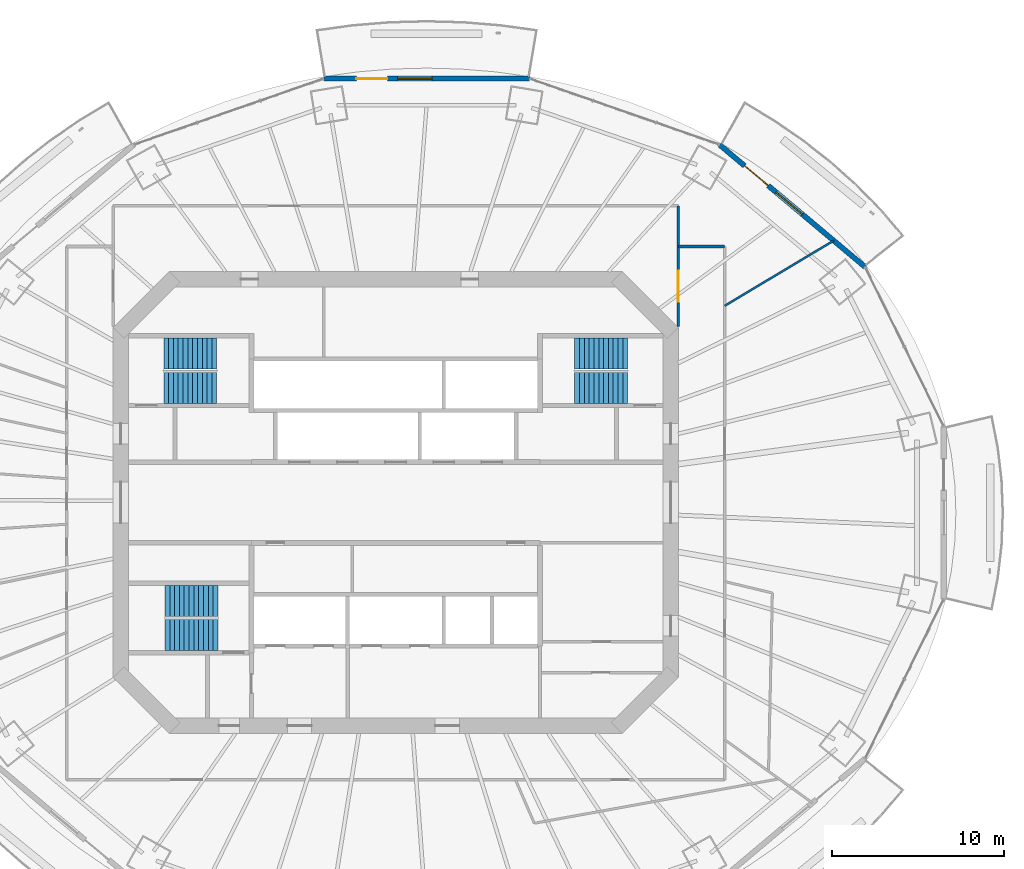
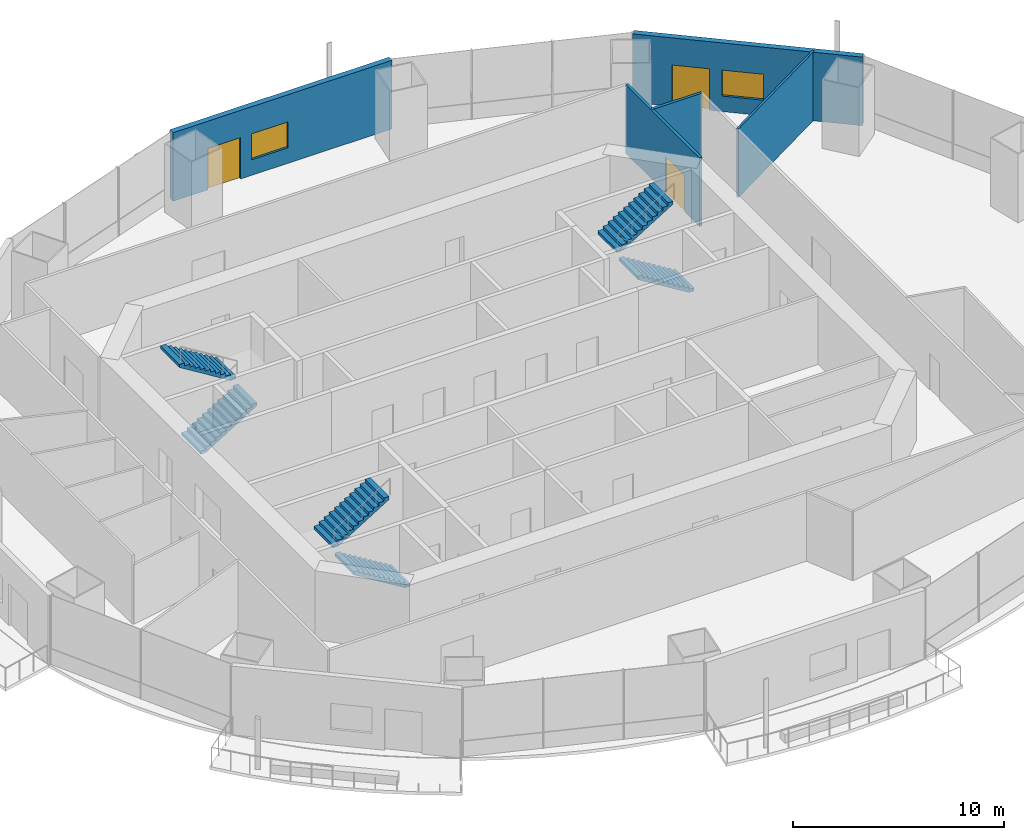
# One storey, part 13 of 19: 6 stair flights, 5 walls, 3 doors, 2 windows, 5 openings, 3 elements without a shape of their own.
"""IFC4 building model written with IfcOpenShell, lengths in metres."""

from ifc_helpers import new_model, si_unit, direction, frame, frame_2d, origin, place, context, subcontext, project, spatial, polyline, rectangle, outline, extrude, material, layer, layer_set, type_object, element, fill, aggregate, save


model = new_model("IFC4")

# Units and contexts
model_context = context("Model", 3, precision=1e-05, world=origin(), true_north=direction((0.0, 1.0)))
body_context = subcontext(model_context, "Body", "Model", "MODEL_VIEW")
ifc_project = project(units=[si_unit("LENGTHUNIT", "METRE"), si_unit("AREAUNIT", "SQUARE_METRE"), si_unit("VOLUMEUNIT", "CUBIC_METRE"), si_unit("PLANEANGLEUNIT", "RADIAN"), si_unit("MASSUNIT", "GRAM", prefix="KILO")], contexts=[model_context])

# Site, building, storey
site_placement = place(None, origin())
site = spatial("IfcSite", under=ifc_project, at=site_placement, CompositionType="ELEMENT")
building_placement = place(site_placement, origin())
building = spatial("IfcBuilding", under=site, at=building_placement, Name="Marenthal Gate Tower", CompositionType="ELEMENT")
storey_placement = place(building_placement, frame((0.0, 0.0, 223.300048828125)))
storey = spatial("IfcBuildingStorey", under=building, at=storey_placement, Name="L49", CompositionType="ELEMENT", Elevation=223.300048828125)

# Wall
ifc_material_1 = material(Name="Gypsum board on steel studs", Category="steel")
ifc_layer_1 = layer(ifc_material_1, 0.1201171875)
ifc_layer_set_1 = layer_set([ifc_layer_1], Name="Partition 120")
wall_type_1 = type_object("IfcWallType", Name="Partition 120", PredefinedType="PARTITIONING", material=ifc_layer_set_1)
wall_1_placement = place(storey_placement, frame((19.14990234375, 11.449462890625, 0.0), z_axis=(0.0, 0.0, 1.0), x_axis=(0.858293202809, 0.513159602864, 0.0)))
element("IfcWall", 1, at=wall_1_placement, inside=storey, type_object=wall_type_1, Name="Partition wall 66", PredefinedType="PARTITIONING", context=body_context, shape_type="SweptSolid", body=[
    extrude(rectangle(XDim=7.392822265625, YDim=0.1201171875, at=frame_2d((3.6962890625, 0.0))), origin(), (0.0, 0.0, 1.0), 3.969970703125),
])

# Wall, opening, door
ifc_material_2 = material(Name="Gypsum board on steel studs", Category="steel")
ifc_layer_2 = layer(ifc_material_2, 0.14990234375)
ifc_layer_set_2 = layer_set([ifc_layer_2], Name="Partition 150")
wall_type_2 = type_object("IfcWallType", Name="Partition 150", PredefinedType="PARTITIONING", material=ifc_layer_set_2)
wall_2_placement = place(storey_placement, frame((16.449951171875, 10.25, 0.0), z_axis=(0.0, 0.0, 1.0), x_axis=(0.0, 1.0, 0.0)))
wall_2 = element("IfcWall", 2, at=wall_2_placement, inside=storey, type_object=wall_type_2, Name="Partition wall 62", PredefinedType="PARTITIONING", context=body_context, shape_type="SweptSolid", body=[
    extrude(rectangle(XDim=7.010986328125, YDim=0.14990234375, at=frame_2d((3.50537109375, 0.0))), origin(), (0.0, 0.0, 1.0), 3.969970703125),
])
opening_1_placement = place(wall_2_placement, frame((1.425048828125, 0.0, 0.0)))
opening_1 = element("IfcOpeningElement", 3, at=opening_1_placement, cuts=wall_2, Name="Opening D014.05", PredefinedType="OPENING", context=body_context, shape_type="SweptSolid", body=[
    extrude(rectangle(XDim=1.800048828125, YDim=2.10009765625, at=frame_2d((0.89990234375, 1.050048828125))), frame((0.0, 0.0849609375, 0.0), z_axis=(0.0, -1.0, 0.0), x_axis=(1.0, 0.0, 0.0)), (0.0, 0.0, 1.0), 0.169921875),
])
ifc_material_3 = material(Name="Timber door", Category="wood")
door_type_1 = type_object("IfcDoorType", Name="Double door 1800 x 2100", OperationType="DOUBLE_DOOR_SINGLE_SWING", PredefinedType="DOOR", material=ifc_material_3)
door_1_placement = place(opening_1_placement, origin())
door_1 = element("IfcDoor", 4, at=door_1_placement, inside=storey, type_object=door_type_1, Name="Door D014.05", OperationType="DOUBLE_DOOR_SINGLE_SWING", OverallHeight=2.10009765625, OverallWidth=1.800048828125, PredefinedType="DOOR", context=body_context, shape_type="SweptSolid", body=[
    extrude(rectangle(XDim=1.800048828125, YDim=2.10009765625, at=frame_2d((0.89990234375, 1.050048828125))), frame((0.0, 0.02490234375, 0.0), z_axis=(0.0, -1.0, 0.0), x_axis=(1.0, 0.0, 0.0)), (0.0, 0.0, 1.0), 0.050048828125),
])
fill(opening_1, door_1)

# Wall
wall_3_placement = place(storey_placement, frame((16.449951171875, 14.89990234375, 0.0), z_axis=(0.0, 0.0, 1.0), x_axis=(1.0, 0.0, 0.0)))
element("IfcWall", 5, at=wall_3_placement, inside=storey, type_object=wall_type_2, Name="Partition wall 63", PredefinedType="PARTITIONING", context=body_context, shape_type="SweptSolid", body=[
    extrude(rectangle(XDim=2.699951171875, YDim=0.14990234375, at=frame_2d((1.35009765625, 0.0))), origin(), (0.0, 0.0, 1.0), 3.969970703125),
])

# Wall, openings, door, window
ifc_material_4 = material(Name="Terracotta cladding on insulated concrete-block backing", Category="masonry")
ifc_layer_3 = layer(ifc_material_4, 0.300048828125)
ifc_layer_set_3 = layer_set([ifc_layer_3], Name="Terracotta facade wall 300")
wall_type_3 = type_object("IfcWallType", Name="Terracotta facade wall 300", PredefinedType="SOLIDWALL", material=ifc_layer_set_3)
wall_4_placement = place(storey_placement, frame((27.316162109375, 13.71435546875, 0.0), z_axis=(0.0, 0.0, 1.0), x_axis=(-0.765870158107, 0.642995257308, 0.0)))
wall_4 = element("IfcWall", 6, at=wall_4_placement, inside=storey, type_object=wall_type_3, Name="Terracotta facade wall L49 bay 2", PredefinedType="SOLIDWALL", context=body_context, shape_type="SweptSolid", body=[
    extrude(rectangle(XDim=11.05517578125, YDim=0.300048828125, at=frame_2d((5.527587890625, 0.0))), origin(), (0.0, 0.0, 1.0), 3.969970703125),
])
opening_2_placement = place(wall_4_placement, frame((7.355224609375, 0.0, 0.0)))
opening_2 = element("IfcOpeningElement", 7, at=opening_2_placement, cuts=wall_4, Name="Opening BD-L49-02", PredefinedType="OPENING", context=body_context, shape_type="SweptSolid", body=[
    extrude(rectangle(XDim=1.800048828125, YDim=2.39990234375, at=frame_2d((0.89990234375, 1.199951171875))), frame((0.0, 0.16015625, 0.0), z_axis=(0.0, -1.0, 0.0), x_axis=(1.0, 0.0, 0.0)), (0.0, 0.0, 1.0), 0.320068359375),
])
opening_3_placement = place(wall_4_placement, frame((4.755126953125, 0.0, 0.89990234375)))
opening_3 = element("IfcOpeningElement", 8, at=opening_3_placement, cuts=wall_4, Name="Opening WN2-L49-02", PredefinedType="OPENING", context=body_context, shape_type="SweptSolid", body=[
    extrude(rectangle(XDim=2.0, YDim=1.5, at=frame_2d((1.0, 0.75))), frame((0.0, 0.16015625, 0.0), z_axis=(0.0, -1.0, 0.0), x_axis=(1.0, 0.0, 0.0)), (0.0, 0.0, 1.0), 0.320068359375),
])
ifc_material_5 = material(Name="Aluminium and glass", Category="aluminium")
door_type_2 = type_object("IfcDoorType", Name="Balcony door 1800x2400", OperationType="DOUBLE_DOOR_SINGLE_SWING", PredefinedType="DOOR", material=ifc_material_5)
door_2_placement = place(opening_2_placement, origin())
door_2 = element("IfcDoor", 9, at=door_2_placement, inside=storey, type_object=door_type_2, Name="Balcony door L49 bay 2", OperationType="SINGLE_SWING_LEFT", OverallHeight=2.39990234375, OverallWidth=1.800048828125, PredefinedType="DOOR", context=body_context, shape_type="SweptSolid", body=[
    extrude(rectangle(XDim=1.800048828125, YDim=2.39990234375, at=frame_2d((0.89990234375, 1.199951171875))), frame((0.0, 0.02490234375, 0.0), z_axis=(0.0, -1.0, 0.0), x_axis=(1.0, 0.0, 0.0)), (0.0, 0.0, 1.0), 0.050048828125),
])
fill(opening_2, door_2)
ifc_material_6 = material(Name="Aluminium and glass", Category="aluminium")
window_type = type_object("IfcWindowType", Name="Window 2000x1500", PartitioningType="DOUBLE_PANEL_VERTICAL", PredefinedType="WINDOW", material=ifc_material_6)
window_1_placement = place(opening_3_placement, origin())
window_1 = element("IfcWindow", 10, at=window_1_placement, inside=storey, type_object=window_type, Name="Window L49 bay 2", OverallHeight=1.5, OverallWidth=2.0, PartitioningType="SINGLE_PANEL", PredefinedType="WINDOW", context=body_context, shape_type="SweptSolid", body=[
    extrude(rectangle(XDim=2.0, YDim=1.5, at=frame_2d((1.0, 0.75))), frame((0.0, 0.030029296875, 0.0), z_axis=(0.0, -1.0, 0.0), x_axis=(1.0, 0.0, 0.0)), (0.0, 0.0, 1.0), 0.06005859375),
])
fill(opening_3, window_1)

wall_5_placement = place(storey_placement, frame((7.786865234375, 24.669921875, 0.0), z_axis=(0.0, 0.0, 1.0), x_axis=(-1.0, 0.0, 0.0)))
wall_5 = element("IfcWall", 11, at=wall_5_placement, inside=storey, type_object=wall_type_3, Name="Terracotta facade wall L49 bay 4", PredefinedType="SOLIDWALL", context=body_context, shape_type="SweptSolid", body=[
    extrude(rectangle(XDim=11.973876953125, YDim=0.300048828125, at=frame_2d((5.98681640625, 0.0))), origin(), (0.0, 0.0, 1.0), 3.969970703125),
])
opening_4_placement = place(wall_5_placement, frame((8.273681640625, 0.0, 0.0)))
opening_4 = element("IfcOpeningElement", 12, at=opening_4_placement, cuts=wall_5, Name="Opening BD-L49-04", PredefinedType="OPENING", context=body_context, shape_type="SweptSolid", body=[
    extrude(rectangle(XDim=1.800048828125, YDim=2.39990234375, at=frame_2d((0.89990234375, 1.199951171875))), frame((0.0, 0.16015625, 0.0), z_axis=(0.0, -1.0, 0.0), x_axis=(1.0, 0.0, 0.0)), (0.0, 0.0, 1.0), 0.320068359375),
])
opening_5_placement = place(wall_5_placement, frame((5.673828125, 0.0, 0.89990234375)))
opening_5 = element("IfcOpeningElement", 13, at=opening_5_placement, cuts=wall_5, Name="Opening WN2-L49-04", PredefinedType="OPENING", context=body_context, shape_type="SweptSolid", body=[
    extrude(rectangle(XDim=2.0, YDim=1.5, at=frame_2d((1.0, 0.75))), frame((0.0, 0.16015625, 0.0), z_axis=(0.0, -1.0, 0.0), x_axis=(1.0, 0.0, 0.0)), (0.0, 0.0, 1.0), 0.320068359375),
])
door_3_placement = place(opening_4_placement, origin())
door_3 = element("IfcDoor", 14, at=door_3_placement, inside=storey, type_object=door_type_2, Name="Balcony door L49 bay 4", OperationType="SINGLE_SWING_LEFT", OverallHeight=2.39990234375, OverallWidth=1.800048828125, PredefinedType="DOOR", context=body_context, shape_type="SweptSolid", body=[
    extrude(rectangle(XDim=1.800048828125, YDim=2.39990234375, at=frame_2d((0.89990234375, 1.199951171875))), frame((0.0, 0.02490234375, 0.0), z_axis=(0.0, -1.0, 0.0), x_axis=(1.0, 0.0, 0.0)), (0.0, 0.0, 1.0), 0.050048828125),
])
fill(opening_4, door_3)
window_2_placement = place(opening_5_placement, origin())
window_2 = element("IfcWindow", 15, at=window_2_placement, inside=storey, type_object=window_type, Name="Window L49 bay 4", OverallHeight=1.5, OverallWidth=2.0, PartitioningType="SINGLE_PANEL", PredefinedType="WINDOW", context=body_context, shape_type="SweptSolid", body=[
    extrude(rectangle(XDim=2.0, YDim=1.5, at=frame_2d((1.0, 0.75))), frame((0.0, 0.030029296875, 0.0), z_axis=(0.0, -1.0, 0.0), x_axis=(1.0, 0.0, 0.0)), (0.0, 0.0, 1.0), 0.06005859375),
])
fill(opening_5, window_2)

# Stair, stair flights
ifc_material_7 = material(Name="Concrete 40 MPa", Category="concrete")
stair_type = type_object("IfcStairType", Name="Exit stair 1800", PredefinedType="HALF_TURN_STAIR", material=ifc_material_7)
stair_1_placement = place(storey_placement, origin())
stair_1 = element("IfcStair", 16, at=stair_1_placement, inside=storey, type_object=stair_type, Name="Stair ST1", PredefinedType="HALF_TURN_STAIR")
ifc_material_8 = material(Name="Concrete 40 MPa", Category="concrete")
stair_flight_type = type_object("IfcStairFlightType", Name="Stair flight 1800", PredefinedType="STRAIGHT", material=ifc_material_8)
stair_flight_1_placement = place(storey_placement, frame((-13.5, 6.675048828125, 0.0), z_axis=(0.0, 0.0, 1.0), x_axis=(1.0, 0.0, 0.0)))
stair_flight_1 = element("IfcStairFlight", 17, at=stair_flight_1_placement, type_object=stair_flight_type, Name="ST1 flight 1", NumberOfRisers=12, NumberOfTreads=11, PredefinedType="STRAIGHT", RiserHeight=0.172916667, TreadLength=0.28, context=body_context, shape_type="SweptSolid", body=[
    extrude(outline(polyline([(0.0, 0.0), (0.0, 0.1728515625), (0.280029296875, 0.1728515625), (0.280029296875, 0.345947265625), (0.56005859375, 0.345947265625), (0.56005859375, 0.518798828125), (0.840087890625, 0.518798828125), (0.840087890625, 0.691650390625), (1.1201171875, 0.691650390625), (1.1201171875, 0.864501953125), (1.39990234375, 0.864501953125), (1.39990234375, 1.03759765625), (1.679931640625, 1.03759765625), (1.679931640625, 1.21044921875), (1.9599609375, 1.21044921875), (1.9599609375, 1.38330078125), (2.239990234375, 1.38330078125), (2.239990234375, 1.55615234375), (2.52001953125, 1.55615234375), (2.52001953125, 1.729248046875), (2.800048828125, 1.729248046875), (2.800048828125, 1.902099609375), (3.080078125, 1.902099609375), (3.080078125, 2.074951171875), (3.080078125, 1.725830078125), (0.285400390625, 0.0), (0.0, 0.0)])), frame((0.0, 0.89990234375, 0.0), z_axis=(0.0, -1.0, 0.0), x_axis=(1.0, 0.0, 0.0)), (0.0, 0.0, 1.0), 1.800048828125),
])
stair_flight_2_placement = place(storey_placement, frame((-10.419921875, 8.675048828125, 2.074951171875), z_axis=(0.0, 0.0, 1.0), x_axis=(-1.0, 0.0, 0.0)))
stair_flight_2 = element("IfcStairFlight", 18, at=stair_flight_2_placement, type_object=stair_flight_type, Name="ST1 flight 2", NumberOfRisers=12, NumberOfTreads=11, PredefinedType="STRAIGHT", RiserHeight=0.172916667, TreadLength=0.28, context=body_context, shape_type="SweptSolid", body=[
    extrude(outline(polyline([(0.0, 0.0), (0.0, 0.1728515625), (0.280029296875, 0.1728515625), (0.280029296875, 0.345947265625), (0.56005859375, 0.345947265625), (0.56005859375, 0.518798828125), (0.840087890625, 0.518798828125), (0.840087890625, 0.691650390625), (1.1201171875, 0.691650390625), (1.1201171875, 0.864501953125), (1.39990234375, 0.864501953125), (1.39990234375, 1.03759765625), (1.679931640625, 1.03759765625), (1.679931640625, 1.21044921875), (1.9599609375, 1.21044921875), (1.9599609375, 1.38330078125), (2.239990234375, 1.38330078125), (2.239990234375, 1.55615234375), (2.52001953125, 1.55615234375), (2.52001953125, 1.729248046875), (2.800048828125, 1.729248046875), (2.800048828125, 1.902099609375), (3.080078125, 1.902099609375), (3.080078125, 2.074951171875), (3.080078125, 1.725830078125), (0.285400390625, 0.0), (0.0, 0.0)])), frame((0.0, 0.89990234375, 0.0), z_axis=(0.0, -1.0, 0.0), x_axis=(1.0, 0.0, 0.0)), (0.0, 0.0, 1.0), 1.800048828125),
])
aggregate(stair_1, [stair_flight_1, stair_flight_2])

stair_2_placement = place(storey_placement, origin())
stair_2 = element("IfcStair", 19, at=stair_2_placement, inside=storey, type_object=stair_type, Name="Stair ST2", PredefinedType="HALF_TURN_STAIR")
stair_flight_3_placement = place(storey_placement, frame((-10.35009765625, -7.72509765625, 0.0), z_axis=(0.0, 0.0, 1.0), x_axis=(-1.0, 0.0, 0.0)))
stair_flight_3 = element("IfcStairFlight", 20, at=stair_flight_3_placement, type_object=stair_flight_type, Name="ST2 flight 1", NumberOfRisers=12, NumberOfTreads=11, PredefinedType="STRAIGHT", RiserHeight=0.172916667, TreadLength=0.28, context=body_context, shape_type="SweptSolid", body=[
    extrude(outline(polyline([(0.0, 0.0), (0.0, 0.1728515625), (0.280029296875, 0.1728515625), (0.280029296875, 0.345947265625), (0.56005859375, 0.345947265625), (0.56005859375, 0.518798828125), (0.840087890625, 0.518798828125), (0.840087890625, 0.691650390625), (1.1201171875, 0.691650390625), (1.1201171875, 0.864501953125), (1.39990234375, 0.864501953125), (1.39990234375, 1.03759765625), (1.679931640625, 1.03759765625), (1.679931640625, 1.21044921875), (1.9599609375, 1.21044921875), (1.9599609375, 1.38330078125), (2.239990234375, 1.38330078125), (2.239990234375, 1.55615234375), (2.52001953125, 1.55615234375), (2.52001953125, 1.729248046875), (2.800048828125, 1.729248046875), (2.800048828125, 1.902099609375), (3.080078125, 1.902099609375), (3.080078125, 2.074951171875), (3.080078125, 1.725830078125), (0.285400390625, 0.0), (0.0, 0.0)])), frame((0.0, 0.89990234375, 0.0), z_axis=(0.0, -1.0, 0.0), x_axis=(1.0, 0.0, 0.0)), (0.0, 0.0, 1.0), 1.800048828125),
])
stair_flight_4_placement = place(storey_placement, frame((-13.429931640625, -5.72509765625, 2.074951171875), z_axis=(0.0, 0.0, 1.0), x_axis=(1.0, 0.0, 0.0)))
stair_flight_4 = element("IfcStairFlight", 21, at=stair_flight_4_placement, type_object=stair_flight_type, Name="ST2 flight 2", NumberOfRisers=12, NumberOfTreads=11, PredefinedType="STRAIGHT", RiserHeight=0.172916667, TreadLength=0.28, context=body_context, shape_type="SweptSolid", body=[
    extrude(outline(polyline([(0.0, 0.0), (0.0, 0.1728515625), (0.280029296875, 0.1728515625), (0.280029296875, 0.345947265625), (0.56005859375, 0.345947265625), (0.56005859375, 0.518798828125), (0.840087890625, 0.518798828125), (0.840087890625, 0.691650390625), (1.1201171875, 0.691650390625), (1.1201171875, 0.864501953125), (1.39990234375, 0.864501953125), (1.39990234375, 1.03759765625), (1.679931640625, 1.03759765625), (1.679931640625, 1.21044921875), (1.9599609375, 1.21044921875), (1.9599609375, 1.38330078125), (2.239990234375, 1.38330078125), (2.239990234375, 1.55615234375), (2.52001953125, 1.55615234375), (2.52001953125, 1.729248046875), (2.800048828125, 1.729248046875), (2.800048828125, 1.902099609375), (3.080078125, 1.902099609375), (3.080078125, 2.074951171875), (3.080078125, 1.725830078125), (0.285400390625, 0.0), (0.0, 0.0)])), frame((0.0, 0.89990234375, 0.0), z_axis=(0.0, -1.0, 0.0), x_axis=(1.0, 0.0, 0.0)), (0.0, 0.0, 1.0), 1.800048828125),
])
aggregate(stair_2, [stair_flight_3, stair_flight_4])

stair_3_placement = place(storey_placement, origin())
stair_3 = element("IfcStair", 22, at=stair_3_placement, inside=storey, type_object=stair_type, Name="Stair ST3", PredefinedType="HALF_TURN_STAIR")
stair_flight_5_placement = place(storey_placement, frame((13.5, 6.675048828125, 0.0), z_axis=(0.0, 0.0, 1.0), x_axis=(-1.0, 0.0, 0.0)))
stair_flight_5 = element("IfcStairFlight", 23, at=stair_flight_5_placement, type_object=stair_flight_type, Name="ST3 flight 1", NumberOfRisers=12, NumberOfTreads=11, PredefinedType="STRAIGHT", RiserHeight=0.172916667, TreadLength=0.28, context=body_context, shape_type="SweptSolid", body=[
    extrude(outline(polyline([(0.0, 0.0), (0.0, 0.1728515625), (0.280029296875, 0.1728515625), (0.280029296875, 0.345947265625), (0.56005859375, 0.345947265625), (0.56005859375, 0.518798828125), (0.840087890625, 0.518798828125), (0.840087890625, 0.691650390625), (1.1201171875, 0.691650390625), (1.1201171875, 0.864501953125), (1.39990234375, 0.864501953125), (1.39990234375, 1.03759765625), (1.679931640625, 1.03759765625), (1.679931640625, 1.21044921875), (1.9599609375, 1.21044921875), (1.9599609375, 1.38330078125), (2.239990234375, 1.38330078125), (2.239990234375, 1.55615234375), (2.52001953125, 1.55615234375), (2.52001953125, 1.729248046875), (2.800048828125, 1.729248046875), (2.800048828125, 1.902099609375), (3.080078125, 1.902099609375), (3.080078125, 2.074951171875), (3.080078125, 1.725830078125), (0.285400390625, 0.0), (0.0, 0.0)])), frame((0.0, 0.89990234375, 0.0), z_axis=(0.0, -1.0, 0.0), x_axis=(1.0, 0.0, 0.0)), (0.0, 0.0, 1.0), 1.800048828125),
])
stair_flight_6_placement = place(storey_placement, frame((10.419921875, 8.675048828125, 2.074951171875), z_axis=(0.0, 0.0, 1.0), x_axis=(1.0, 0.0, 0.0)))
stair_flight_6 = element("IfcStairFlight", 24, at=stair_flight_6_placement, type_object=stair_flight_type, Name="ST3 flight 2", NumberOfRisers=12, NumberOfTreads=11, PredefinedType="STRAIGHT", RiserHeight=0.172916667, TreadLength=0.28, context=body_context, shape_type="SweptSolid", body=[
    extrude(outline(polyline([(0.0, 0.0), (0.0, 0.1728515625), (0.280029296875, 0.1728515625), (0.280029296875, 0.345947265625), (0.56005859375, 0.345947265625), (0.56005859375, 0.518798828125), (0.840087890625, 0.518798828125), (0.840087890625, 0.691650390625), (1.1201171875, 0.691650390625), (1.1201171875, 0.864501953125), (1.39990234375, 0.864501953125), (1.39990234375, 1.03759765625), (1.679931640625, 1.03759765625), (1.679931640625, 1.21044921875), (1.9599609375, 1.21044921875), (1.9599609375, 1.38330078125), (2.239990234375, 1.38330078125), (2.239990234375, 1.55615234375), (2.52001953125, 1.55615234375), (2.52001953125, 1.729248046875), (2.800048828125, 1.729248046875), (2.800048828125, 1.902099609375), (3.080078125, 1.902099609375), (3.080078125, 2.074951171875), (3.080078125, 1.725830078125), (0.285400390625, 0.0), (0.0, 0.0)])), frame((0.0, 0.89990234375, 0.0), z_axis=(0.0, -1.0, 0.0), x_axis=(1.0, 0.0, 0.0)), (0.0, 0.0, 1.0), 1.800048828125),
])
aggregate(stair_3, [stair_flight_5, stair_flight_6])

save(model, "model.ifc")
